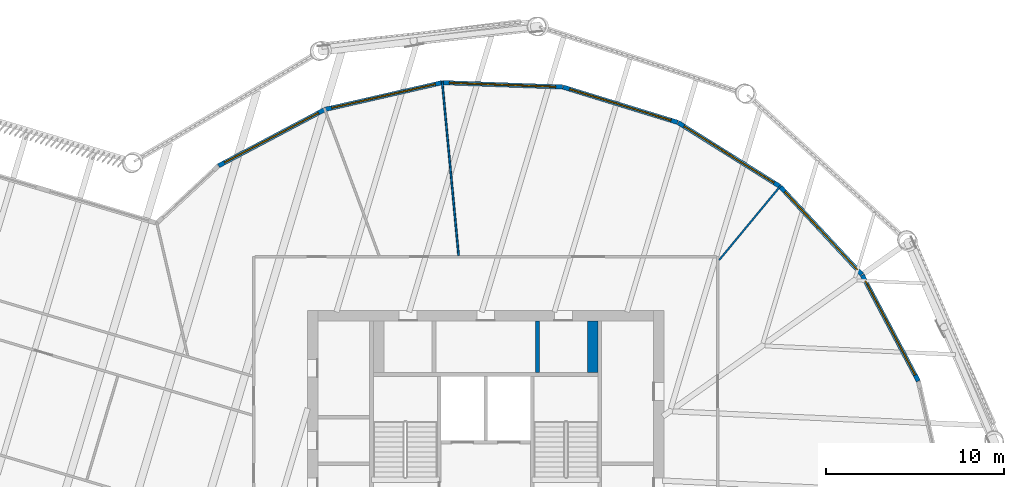
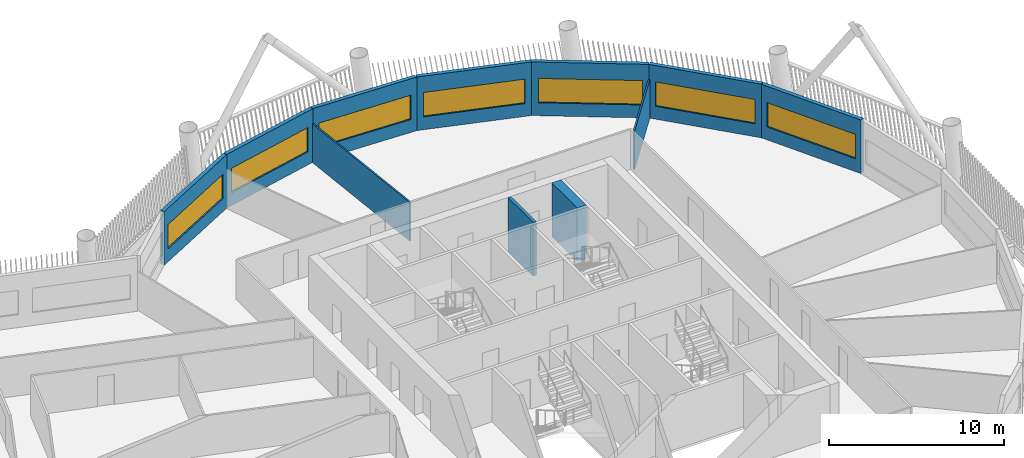
# One storey, part 7 of 24: 11 walls, 7 windows, 7 openings.
"""IFC4 building model written with IfcOpenShell, lengths in metres."""

import ifcopenshell
import ifcopenshell.guid

model = None  # the IFC model being written
_history = None  # IfcOwnerHistory: only IFC2X3 demands one
_inside = {}  # id of a spatial element -> (the spatial element, [elements in it])
_under = {}  # id of a project, library or spatial element -> (it, [spatial elements below it])
_declared = {}  # id of a project -> (the project, [libraries it declares])
_typed = {}  # id of a type object -> (the type object, [elements of that type])
_made_of = {}  # id of a material, layer set ... -> (it, [elements and type objects made of it])


def new_model(schema):
    """Start an empty IFC model of exactly this schema.

    Asked for "IFC4X3", IfcOpenShell would pick the latest addendum, in which some entities
    have other attributes; the version numbers below select the first issue.
    IFC2X3 requires an IfcOwnerHistory on every rooted entity: one is made here for all.
    """
    global model, _history
    if schema == "IFC4X3":
        model = ifcopenshell.file(schema_version=(4, 3, 0, 0))
    else:
        model = ifcopenshell.file(schema=schema)
    _inside.clear()
    _under.clear()
    _declared.clear()
    _typed.clear()
    _made_of.clear()
    _history = None
    if model.schema == "IFC2X3":
        org = make("IfcOrganization", Name="unknown")
        user = make(
            "IfcPersonAndOrganization",
            ThePerson=make("IfcPerson", FamilyName="unknown"),
            TheOrganization=org,
        )
        app = make(
            "IfcApplication",
            ApplicationDeveloper=org,
            Version="unknown",
            ApplicationFullName="unknown",
            ApplicationIdentifier="unknown",
        )
        _history = make(
            "IfcOwnerHistory",
            OwningUser=user,
            OwningApplication=app,
            ChangeAction="ADDED",
            CreationDate=0,
        )
    return model


def make(cls, **values):
    """One entity of the class cls with the attributes given. An attribute that is None is left unset."""
    return model.create_entity(
        cls, **{name: value for name, value in values.items() if value is not None}
    )


def rooted(cls, **values):
    """An entity with a GlobalId (a new one), such as an element, a storey or a relation."""
    return make(cls, GlobalId=ifcopenshell.guid.new(), OwnerHistory=_history, **values)


def si_unit(unit_type, name, prefix=None):
    """IfcSIUnit, for example si_unit("LENGTHUNIT", "METRE", prefix="MILLI")."""
    return make("IfcSIUnit", UnitType=unit_type, Prefix=prefix, Name=name)


def assignment(units):
    """IfcUnitAssignment: the units of a project."""
    return None if units is None else make("IfcUnitAssignment", Units=units)


def point(xyz):
    """IfcCartesianPoint."""
    return None if xyz is None else make("IfcCartesianPoint", Coordinates=xyz)


def direction(xyz):
    """IfcDirection."""
    return None if xyz is None else make("IfcDirection", DirectionRatios=xyz)


def frame(location, z_axis=None, x_axis=None):
    """IfcAxis2Placement3D, a coordinate frame: its origin and axes. An axis left out is left unset."""
    return make(
        "IfcAxis2Placement3D",
        Location=point(location),
        Axis=direction(z_axis),
        RefDirection=direction(x_axis),
    )


def frame_2d(location, x_axis=None):
    """IfcAxis2Placement2D, a coordinate frame in the plane: its origin and x axis."""
    return make(
        "IfcAxis2Placement2D", Location=point(location), RefDirection=direction(x_axis)
    )


def origin():
    """The frame at (0, 0, 0) with its axes left unset."""
    return frame((0.0, 0.0, 0.0))


def place(relative_to, where):
    """IfcLocalPlacement: puts the frame where relative to a parent placement (None: the world)."""
    return make(
        "IfcLocalPlacement", PlacementRelTo=relative_to, RelativePlacement=where
    )


def context(
    kind, dimensions, precision=None, world=None, true_north=None, identifier=None
):
    """IfcGeometricRepresentationContext, for example the 3D "Model" context."""
    return make(
        "IfcGeometricRepresentationContext",
        ContextIdentifier=identifier,
        ContextType=kind,
        CoordinateSpaceDimension=dimensions,
        Precision=precision,
        WorldCoordinateSystem=world,
        TrueNorth=true_north,
    )


def subcontext(parent, identifier, kind, view, scale=None):
    """IfcGeometricRepresentationSubContext, for example "Body" below "Model"."""
    return make(
        "IfcGeometricRepresentationSubContext",
        ContextIdentifier=identifier,
        ContextType=kind,
        ParentContext=parent,
        TargetScale=scale,
        TargetView=view,
    )


def project(units=None, contexts=None):
    """IfcProject with its units and contexts."""
    return rooted(
        "IfcProject",
        Name="project",
        RepresentationContexts=contexts,
        UnitsInContext=assignment(units),
    )


def spatial(cls, under=None, at=None, **own):
    """A site, building, storey or space (cls), placed at a placement, below another one or the project."""
    s = rooted(cls, ObjectPlacement=at, **own)
    if under is not None:
        _under.setdefault(under.id(), (under, []))[1].append(s)
    return s


def profile(cls, at=None, kind="AREA", **sizes):
    """A parametric profile (cls). Its sizes go by their IFC names, for example OverallWidth=200.0."""
    return make(cls, ProfileType=kind, Position=at, **sizes)


def rectangle(**sizes):
    """IfcRectangleProfileDef."""
    return profile("IfcRectangleProfileDef", **sizes)


def extrude(swept, where, along, depth):
    """IfcExtrudedAreaSolid: the profile swept, set in the frame where, extruded along a direction by depth."""
    return make(
        "IfcExtrudedAreaSolid",
        SweptArea=swept,
        Position=where,
        ExtrudedDirection=direction(along),
        Depth=depth,
    )


def shape(context_of_items, identifier, shape_type, items):
    """IfcShapeRepresentation: the items that make up one representation, for example the "Body"."""
    return make(
        "IfcShapeRepresentation",
        ContextOfItems=context_of_items,
        RepresentationIdentifier=identifier,
        RepresentationType=shape_type,
        Items=items,
    )


def material(Name=None, Category=None):
    """IfcMaterial."""
    return make("IfcMaterial", Name=Name, Category=Category)


def layer(
    of_material, thickness, ventilated=None, Name=None, Category=None, Priority=None
):
    """IfcMaterialLayer: one layer of a wall or slab, of a material (None: an air gap)."""
    return make(
        "IfcMaterialLayer",
        Material=of_material,
        LayerThickness=thickness,
        IsVentilated=ventilated,
        Name=Name,
        Category=Category,
        Priority=Priority,
    )


def layer_set(layers, Name=None):
    """IfcMaterialLayerSet."""
    return make("IfcMaterialLayerSet", MaterialLayers=layers, LayerSetName=Name)


def made_of(thing, what):
    """Note that an element or type object is made of a material, layer set ...; save() writes the relation."""
    if what is not None:
        _made_of.setdefault(what.id(), (what, []))[1].append(thing)
    return thing


def type_object(cls, material=None, **own):
    """A type object (cls), such as IfcWallType, which elements share."""
    return made_of(rooted(cls, **own), material)


def element(
    cls,
    number,
    at=None,
    inside=None,
    cuts=None,
    type_object=None,
    material=None,
    context=None,
    identifier="Body",
    shape_type=None,
    held_by="IfcProductDefinitionShape",
    body=None,
    shapes=None,
    **own,
):
    """One element of the class cls, such as IfcWall. Its Tag is "e" and its number.

    at: its placement. inside: the storey or other place that contains it. cuts: it is an
    opening in that element (IfcRelVoidsElement). A single representation is given by context,
    identifier, shape_type and body (its items); several are given by shapes. held_by: the class
    of the entity that holds the representations. save() writes the other relations.
    """
    e = rooted(cls, Tag="e%d" % number, ObjectPlacement=at, **own)
    if body is not None:
        shapes = [shape(context, identifier, shape_type, body)]
    if shapes is not None:
        e.Representation = make(held_by, Representations=shapes)
    if inside is not None:
        _inside.setdefault(inside.id(), (inside, []))[1].append(e)
    if cuts is not None:
        rooted(
            "IfcRelVoidsElement", RelatingBuildingElement=cuts, RelatedOpeningElement=e
        )
    if type_object is not None:
        _typed.setdefault(type_object.id(), (type_object, []))[1].append(e)
    return made_of(e, material)


def fill(opening, filler):
    """IfcRelFillsElement: the door or window that sits in an opening."""
    return rooted(
        "IfcRelFillsElement",
        RelatingOpeningElement=opening,
        RelatedBuildingElement=filler,
    )


def aggregate(whole, parts):
    """IfcRelAggregates: a whole, such as a stair, and the parts it consists of."""
    return rooted("IfcRelAggregates", RelatingObject=whole, RelatedObjects=parts)


def save(model, path):
    """Write the relations noted so far, then the file.

    IfcRelAggregates (storeys below a building ...), IfcRelContainedInSpatialStructure (elements
    in a storey), IfcRelDefinesByType, IfcRelAssociatesMaterial and IfcRelDeclares: one each for
    every whole, place, type object, material and project.
    """
    for whole, parts in _under.values():
        aggregate(whole, parts)
    for where, things in _inside.values():
        rooted(
            "IfcRelContainedInSpatialStructure",
            RelatedElements=things,
            RelatingStructure=where,
        )
    for kind, things in _typed.values():
        rooted("IfcRelDefinesByType", RelatedObjects=things, RelatingType=kind)
    for what, things in _made_of.values():
        rooted("IfcRelAssociatesMaterial", RelatedObjects=things, RelatingMaterial=what)
    for by, libraries in _declared.values():
        rooted("IfcRelDeclares", RelatingContext=by, RelatedDefinitions=libraries)
    model.write(path)


model = new_model("IFC4")

# Units and contexts
model_context = context("Model", 3, precision=1e-05, world=origin(), true_north=direction((0.0, 1.0)))
body_context = subcontext(model_context, "Body", "Model", "MODEL_VIEW")
ifc_project = project(units=[si_unit("LENGTHUNIT", "METRE"), si_unit("AREAUNIT", "SQUARE_METRE"), si_unit("VOLUMEUNIT", "CUBIC_METRE"), si_unit("PLANEANGLEUNIT", "RADIAN"), si_unit("MASSUNIT", "GRAM", prefix="KILO")], contexts=[model_context])

# Site, building, storey
site_placement = place(None, origin())
site = spatial("IfcSite", under=ifc_project, at=site_placement, CompositionType="ELEMENT")
building_placement = place(site_placement, origin())
building = spatial("IfcBuilding", under=site, at=building_placement, Name="Tarsis Ring Headquarters", CompositionType="ELEMENT")
storey_placement = place(building_placement, frame((0.0, 0.0, 216.0)))
storey = spatial("IfcBuildingStorey", under=building, at=storey_placement, Name="L50", CompositionType="ELEMENT", Elevation=216.0)

# Walls
ifc_material_1 = material(Name="Blockwork", Category="masonry")
ifc_layer_1 = layer(ifc_material_1, 0.199951171875)
ifc_layer_set_1 = layer_set([ifc_layer_1], Name="Core blockwork wall 200")
wall_type_1 = type_object("IfcWallType", Name="Core blockwork wall 200", PredefinedType="PARTITIONING", material=ifc_layer_set_1)
wall_1_placement = place(storey_placement, frame((2.89990234375, 9.5, 0.0), z_axis=(0.0, 0.0, 1.0), x_axis=(0.0, 1.0, 0.0)))
element("IfcWall", 1, at=wall_1_placement, inside=storey, type_object=wall_type_1, Name="Core partition ND3", PredefinedType="PARTITIONING", context=body_context, shape_type="SweptSolid", body=[
    extrude(rectangle(XDim=2.89990234375, YDim=0.199951171875, at=frame_2d((1.449951171875, 0.0))), origin(), (0.0, 0.0, 1.0), 3.739990234375),
])
ifc_material_2 = material(Name="Gypsum board on steel studs", Category="steel")
ifc_layer_2 = layer(ifc_material_2, 0.10009765625)
ifc_layer_set_2 = layer_set([ifc_layer_2], Name="FL partition 100 unrated")
wall_type_2 = type_object("IfcWallType", Name="FL partition 100 unrated", PredefinedType="PARTITIONING", material=ifc_layer_set_2)
wall_2_placement = place(storey_placement, frame((-2.44189453125, 25.832763671875, 0.0), z_axis=(0.0, 0.0, 1.0), x_axis=(0.09410416872, -0.995562356374, 0.0)))
element("IfcWall", 2, at=wall_2_placement, inside=storey, type_object=wall_type_2, Name="Partition PW3", PredefinedType="PARTITIONING", context=body_context, shape_type="SweptSolid", body=[
    extrude(rectangle(XDim=9.806640625, YDim=0.10009765625, at=frame_2d((4.9033203125, 0.0))), origin(), (0.0, 0.0, 1.0), 2.699951171875),
])
wall_3_placement = place(storey_placement, frame((13.089111328125, 15.822265625, 0.0), z_axis=(0.0, 0.0, 1.0), x_axis=(0.637447714663, 0.770493615205, 0.0)))
element("IfcWall", 3, at=wall_3_placement, inside=storey, type_object=wall_type_2, Name="Partition PW3", PredefinedType="PARTITIONING", context=body_context, shape_type="SweptSolid", body=[
    extrude(rectangle(XDim=5.413330078125, YDim=0.10009765625, at=frame_2d((2.70654296875, 0.0))), origin(), (0.0, 0.0, 1.0), 2.699951171875),
])

# Wall, opening, window
ifc_material_3 = material(Name="Terracotta clad insulated panel wall", Category="masonry")
ifc_layer_3 = layer(ifc_material_3, 0.25)
ifc_layer_set_3 = layer_set([ifc_layer_3], Name="Facade wall terracotta panel 250")
wall_type_3 = type_object("IfcWallType", Name="Facade wall terracotta panel 250", PredefinedType="STANDARD", material=ifc_layer_set_3)
wall_4_placement = place(storey_placement, frame((24.243408203125, 9.033447265625, 0.0), z_axis=(0.0, 0.0, 1.0), x_axis=(-0.467941123269, 0.883759642184, 0.0)))
wall_4 = element("IfcWall", 4, at=wall_4_placement, inside=storey, type_object=wall_type_3, Name="External wall L50-23", PredefinedType="STANDARD", context=body_context, shape_type="SweptSolid", body=[
    extrude(rectangle(XDim=6.721435546875, YDim=0.25, at=frame_2d((3.36083984375, 0.0))), origin(), (0.0, 0.0, 1.0), 3.739990234375),
])
opening_1_placement = place(wall_4_placement, frame((0.3857421875, 0.0, 0.89990234375)))
opening_1 = element("IfcOpeningElement", 5, at=opening_1_placement, cuts=wall_4, Name="Opening WN07", PredefinedType="OPENING", context=body_context, shape_type="SweptSolid", body=[
    extrude(rectangle(XDim=5.949951171875, YDim=1.699951171875, at=frame_2d((2.97509765625, 0.85009765625))), frame((0.0, 0.135009765625, 0.0), z_axis=(0.0, -1.0, 0.0), x_axis=(1.0, 0.0, 0.0)), (0.0, 0.0, 1.0), 0.27001953125),
])
ifc_material_4 = material(Name="Aluminium framed double glazing", Category="aluminium")
window_type = type_object("IfcWindowType", Name="Facade window 5950 x 1700", PartitioningType="SINGLE_PANEL", PredefinedType="WINDOW", material=ifc_material_4)
window_1_placement = place(opening_1_placement, origin())
window_1 = element("IfcWindow", 6, at=window_1_placement, inside=storey, type_object=window_type, Name="Window L50-23.1", OverallHeight=1.699951171875, OverallWidth=5.949951171875, PartitioningType="SINGLE_PANEL", PredefinedType="WINDOW", context=body_context, shape_type="SweptSolid", body=[
    extrude(rectangle(XDim=5.949951171875, YDim=1.699951171875, at=frame_2d((2.97509765625, 0.85009765625))), frame((0.0, 0.030029296875, 0.0), z_axis=(0.0, -1.0, 0.0), x_axis=(1.0, 0.0, 0.0)), (0.0, 0.0, 1.0), 0.06005859375),
])
fill(opening_1, window_1)

wall_5_placement = place(storey_placement, frame((21.079345703125, 15.000244140625, 0.0), z_axis=(0.0, 0.0, 1.0), x_axis=(-0.680715759773, 0.732547646503, 0.0)))
wall_5 = element("IfcWall", 7, at=wall_5_placement, inside=storey, type_object=wall_type_3, Name="External wall L50-24", PredefinedType="STANDARD", context=body_context, shape_type="SweptSolid", body=[
    extrude(rectangle(XDim=6.721435546875, YDim=0.25, at=frame_2d((3.36083984375, 0.0))), origin(), (0.0, 0.0, 1.0), 3.739990234375),
])
opening_2_placement = place(wall_5_placement, frame((0.3857421875, 0.0, 0.89990234375)))
opening_2 = element("IfcOpeningElement", 8, at=opening_2_placement, cuts=wall_5, Name="Opening WN07", PredefinedType="OPENING", context=body_context, shape_type="SweptSolid", body=[
    extrude(rectangle(XDim=5.949951171875, YDim=1.699951171875, at=frame_2d((2.97509765625, 0.85009765625))), frame((0.0, 0.135009765625, 0.0), z_axis=(0.0, -1.0, 0.0), x_axis=(1.0, 0.0, 0.0)), (0.0, 0.0, 1.0), 0.27001953125),
])
window_2_placement = place(opening_2_placement, origin())
window_2 = element("IfcWindow", 9, at=window_2_placement, inside=storey, type_object=window_type, Name="Window L50-24.1", OverallHeight=1.699951171875, OverallWidth=5.949951171875, PartitioningType="SINGLE_PANEL", PredefinedType="WINDOW", context=body_context, shape_type="SweptSolid", body=[
    extrude(rectangle(XDim=5.949951171875, YDim=1.699951171875, at=frame_2d((2.97509765625, 0.85009765625))), frame((0.0, 0.030029296875, 0.0), z_axis=(0.0, -1.0, 0.0), x_axis=(1.0, 0.0, 0.0)), (0.0, 0.0, 1.0), 0.06005859375),
])
fill(opening_2, window_2)

wall_6_placement = place(storey_placement, frame((16.478759765625, 19.94482421875, 0.0), z_axis=(0.0, 0.0, 1.0), x_axis=(-0.847113587888, 0.531411864014, 0.0)))
wall_6 = element("IfcWall", 10, at=wall_6_placement, inside=storey, type_object=wall_type_3, Name="External wall L50-25", PredefinedType="STANDARD", context=body_context, shape_type="SweptSolid", body=[
    extrude(rectangle(XDim=6.7216796875, YDim=0.25, at=frame_2d((3.36083984375, 0.0))), origin(), (0.0, 0.0, 1.0), 3.739990234375),
])
opening_3_placement = place(wall_6_placement, frame((0.3857421875, 0.0, 0.89990234375)))
opening_3 = element("IfcOpeningElement", 11, at=opening_3_placement, cuts=wall_6, Name="Opening WN07", PredefinedType="OPENING", context=body_context, shape_type="SweptSolid", body=[
    extrude(rectangle(XDim=5.949951171875, YDim=1.699951171875, at=frame_2d((2.97509765625, 0.85009765625))), frame((0.0, 0.135009765625, 0.0), z_axis=(0.0, -1.0, 0.0), x_axis=(1.0, 0.0, 0.0)), (0.0, 0.0, 1.0), 0.27001953125),
])
window_3_placement = place(opening_3_placement, origin())
window_3 = element("IfcWindow", 12, at=window_3_placement, inside=storey, type_object=window_type, Name="Window L50-25.1", OverallHeight=1.699951171875, OverallWidth=5.949951171875, PartitioningType="SINGLE_PANEL", PredefinedType="WINDOW", context=body_context, shape_type="SweptSolid", body=[
    extrude(rectangle(XDim=5.949951171875, YDim=1.699951171875, at=frame_2d((2.97509765625, 0.85009765625))), frame((0.0, 0.030029296875, 0.0), z_axis=(0.0, -1.0, 0.0), x_axis=(1.0, 0.0, 0.0)), (0.0, 0.0, 1.0), 0.06005859375),
])
fill(opening_3, window_3)

wall_7_placement = place(storey_placement, frame((10.755126953125, 23.5302734375, 0.0), z_axis=(0.0, 0.0, 1.0), x_axis=(-0.955785291282, 0.294065429742, 0.0)))
wall_7 = element("IfcWall", 13, at=wall_7_placement, inside=storey, type_object=wall_type_3, Name="External wall L50-26", PredefinedType="STANDARD", context=body_context, shape_type="SweptSolid", body=[
    extrude(rectangle(XDim=6.721435546875, YDim=0.25, at=frame_2d((3.36083984375, 0.0))), origin(), (0.0, 0.0, 1.0), 3.739990234375),
])
opening_4_placement = place(wall_7_placement, frame((0.3857421875, 0.0, 0.89990234375)))
opening_4 = element("IfcOpeningElement", 14, at=opening_4_placement, cuts=wall_7, Name="Opening WN07", PredefinedType="OPENING", context=body_context, shape_type="SweptSolid", body=[
    extrude(rectangle(XDim=5.949951171875, YDim=1.699951171875, at=frame_2d((2.97509765625, 0.85009765625))), frame((0.0, 0.135009765625, 0.0), z_axis=(0.0, -1.0, 0.0), x_axis=(1.0, 0.0, 0.0)), (0.0, 0.0, 1.0), 0.27001953125),
])
window_4_placement = place(opening_4_placement, origin())
window_4 = element("IfcWindow", 15, at=window_4_placement, inside=storey, type_object=window_type, Name="Window L50-26.1", OverallHeight=1.699951171875, OverallWidth=5.949951171875, PartitioningType="SINGLE_PANEL", PredefinedType="WINDOW", context=body_context, shape_type="SweptSolid", body=[
    extrude(rectangle(XDim=5.949951171875, YDim=1.699951171875, at=frame_2d((2.97509765625, 0.85009765625))), frame((0.0, 0.030029296875, 0.0), z_axis=(0.0, -1.0, 0.0), x_axis=(1.0, 0.0, 0.0)), (0.0, 0.0, 1.0), 0.06005859375),
])
fill(opening_4, window_4)

wall_8_placement = place(storey_placement, frame((4.298583984375, 25.51220703125, 0.0), z_axis=(0.0, 0.0, 1.0), x_axis=(-0.999328202116, 0.036648935265, 0.0)))
wall_8 = element("IfcWall", 16, at=wall_8_placement, inside=storey, type_object=wall_type_3, Name="External wall L50-27", PredefinedType="STANDARD", context=body_context, shape_type="SweptSolid", body=[
    extrude(rectangle(XDim=6.721435546875, YDim=0.25, at=frame_2d((3.36083984375, 0.0))), origin(), (0.0, 0.0, 1.0), 3.739990234375),
])
opening_5_placement = place(wall_8_placement, frame((0.3857421875, 0.0, 0.89990234375)))
opening_5 = element("IfcOpeningElement", 17, at=opening_5_placement, cuts=wall_8, Name="Opening WN07", PredefinedType="OPENING", context=body_context, shape_type="SweptSolid", body=[
    extrude(rectangle(XDim=5.949951171875, YDim=1.699951171875, at=frame_2d((2.97509765625, 0.85009765625))), frame((0.0, 0.135009765625, 0.0), z_axis=(0.0, -1.0, 0.0), x_axis=(1.0, 0.0, 0.0)), (0.0, 0.0, 1.0), 0.27001953125),
])
window_5_placement = place(opening_5_placement, origin())
window_5 = element("IfcWindow", 18, at=window_5_placement, inside=storey, type_object=window_type, Name="Window L50-27.1", OverallHeight=1.699951171875, OverallWidth=5.949951171875, PartitioningType="SINGLE_PANEL", PredefinedType="WINDOW", context=body_context, shape_type="SweptSolid", body=[
    extrude(rectangle(XDim=5.949951171875, YDim=1.699951171875, at=frame_2d((2.97509765625, 0.85009765625))), frame((0.0, 0.030029296875, 0.0), z_axis=(0.0, -1.0, 0.0), x_axis=(1.0, 0.0, 0.0)), (0.0, 0.0, 1.0), 0.06005859375),
])
fill(opening_5, window_5)

wall_9_placement = place(storey_placement, frame((-2.450927734375, 25.75537109375, 0.0), z_axis=(0.0, 0.0, 1.0), x_axis=(-0.974765094903, -0.223233083924, 0.0)))
wall_9 = element("IfcWall", 19, at=wall_9_placement, inside=storey, type_object=wall_type_3, Name="External wall L50-28", PredefinedType="STANDARD", context=body_context, shape_type="SweptSolid", body=[
    extrude(rectangle(XDim=6.7216796875, YDim=0.25, at=frame_2d((3.36083984375, 0.0))), origin(), (0.0, 0.0, 1.0), 3.739990234375),
])
opening_6_placement = place(wall_9_placement, frame((0.3857421875, 0.0, 0.89990234375)))
opening_6 = element("IfcOpeningElement", 20, at=opening_6_placement, cuts=wall_9, Name="Opening WN07", PredefinedType="OPENING", context=body_context, shape_type="SweptSolid", body=[
    extrude(rectangle(XDim=5.949951171875, YDim=1.699951171875, at=frame_2d((2.97509765625, 0.85009765625))), frame((0.0, 0.135009765625, 0.0), z_axis=(0.0, -1.0, 0.0), x_axis=(1.0, 0.0, 0.0)), (0.0, 0.0, 1.0), 0.27001953125),
])
window_6_placement = place(opening_6_placement, origin())
window_6 = element("IfcWindow", 21, at=window_6_placement, inside=storey, type_object=window_type, Name="Window L50-28.1", OverallHeight=1.699951171875, OverallWidth=5.949951171875, PartitioningType="SINGLE_PANEL", PredefinedType="WINDOW", context=body_context, shape_type="SweptSolid", body=[
    extrude(rectangle(XDim=5.949951171875, YDim=1.699951171875, at=frame_2d((2.97509765625, 0.85009765625))), frame((0.0, 0.030029296875, 0.0), z_axis=(0.0, -1.0, 0.0), x_axis=(1.0, 0.0, 0.0)), (0.0, 0.0, 1.0), 0.06005859375),
])
fill(opening_6, window_6)

wall_10_placement = place(storey_placement, frame((-9.033447265625, 24.243408203125, 0.0), z_axis=(0.0, 0.0, 1.0), x_axis=(-0.883759642184, -0.467941123269, 0.0)))
wall_10 = element("IfcWall", 22, at=wall_10_placement, inside=storey, type_object=wall_type_3, Name="External wall L50-29", PredefinedType="STANDARD", context=body_context, shape_type="SweptSolid", body=[
    extrude(rectangle(XDim=6.721435546875, YDim=0.25, at=frame_2d((3.36083984375, 0.0))), origin(), (0.0, 0.0, 1.0), 3.739990234375),
])
opening_7_placement = place(wall_10_placement, frame((0.3857421875, 0.0, 0.89990234375)))
opening_7 = element("IfcOpeningElement", 23, at=opening_7_placement, cuts=wall_10, Name="Opening WN07", PredefinedType="OPENING", context=body_context, shape_type="SweptSolid", body=[
    extrude(rectangle(XDim=5.949951171875, YDim=1.699951171875, at=frame_2d((2.97509765625, 0.85009765625))), frame((0.0, 0.135009765625, 0.0), z_axis=(0.0, -1.0, 0.0), x_axis=(1.0, 0.0, 0.0)), (0.0, 0.0, 1.0), 0.27001953125),
])
window_7_placement = place(opening_7_placement, origin())
window_7 = element("IfcWindow", 24, at=window_7_placement, inside=storey, type_object=window_type, Name="Window L50-29.1", OverallHeight=1.699951171875, OverallWidth=5.949951171875, PartitioningType="SINGLE_PANEL", PredefinedType="WINDOW", context=body_context, shape_type="SweptSolid", body=[
    extrude(rectangle(XDim=5.949951171875, YDim=1.699951171875, at=frame_2d((2.97509765625, 0.85009765625))), frame((0.0, 0.030029296875, 0.0), z_axis=(0.0, -1.0, 0.0), x_axis=(1.0, 0.0, 0.0)), (0.0, 0.0, 1.0), 0.06005859375),
])
fill(opening_7, window_7)

# Wall
ifc_material_5 = material(Name="Concrete C32/40", Category="concrete")
ifc_layer_4 = layer(ifc_material_5, 0.60009765625)
ifc_layer_set_4 = layer_set([ifc_layer_4], Name="Shaft end wall 600 C32/40")
wall_type_4 = type_object("IfcWallType", Name="Shaft end wall 600 C32/40", PredefinedType="SOLIDWALL", material=ifc_layer_set_4)
wall_11_placement = place(storey_placement, frame((6.0, 9.5, 0.0), z_axis=(0.0, 0.0, 1.0), x_axis=(0.0, 1.0, 0.0)))
element("IfcWall", 25, at=wall_11_placement, inside=storey, type_object=wall_type_4, Name="Core shaft wall NNE2", PredefinedType="SOLIDWALL", context=body_context, shape_type="SweptSolid", body=[
    extrude(rectangle(XDim=2.89990234375, YDim=0.60009765625, at=frame_2d((1.449951171875, 0.0))), origin(), (0.0, 0.0, 1.0), 3.739990234375),
])

save(model, "model.ifc")
